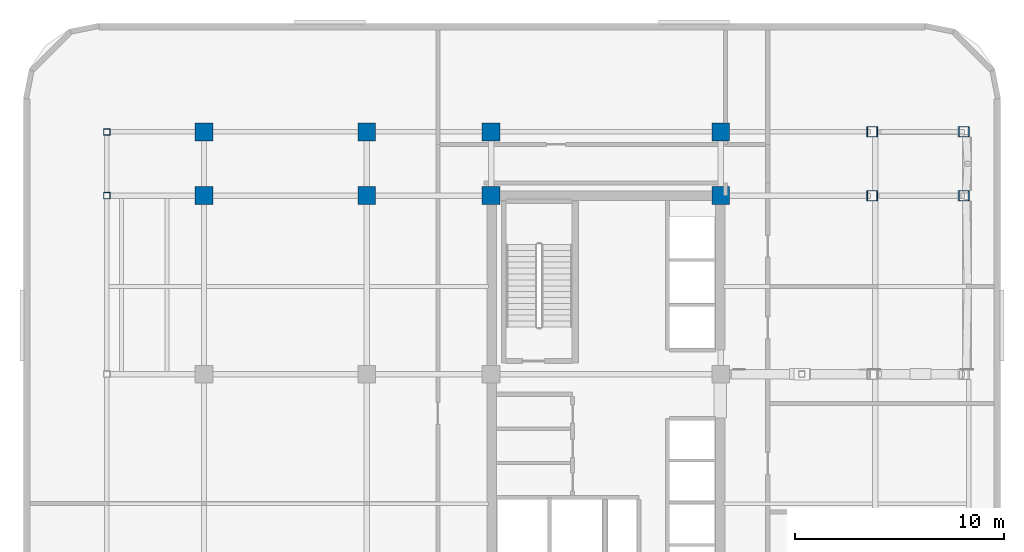
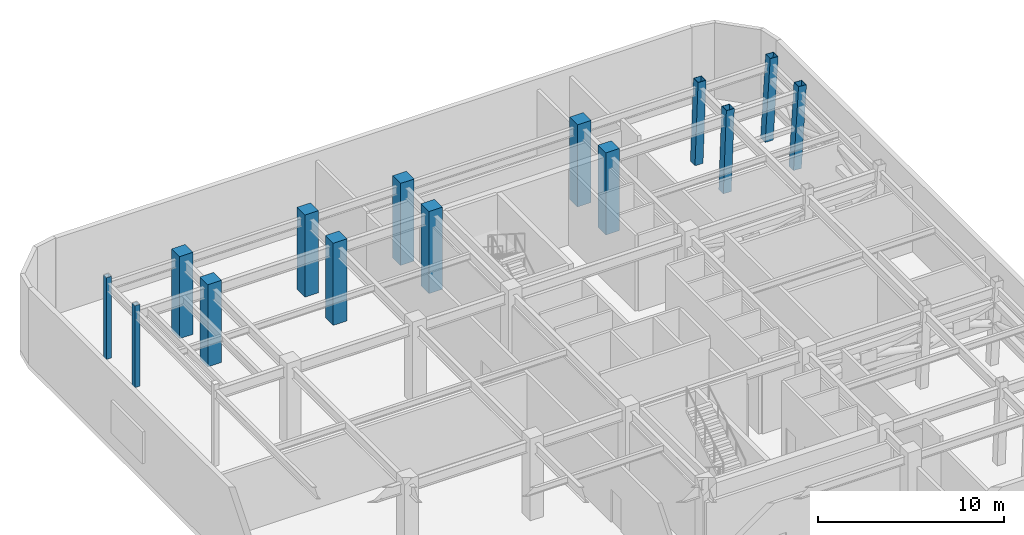
# One storey, part 3 of 14: 14 columns.
"""IFC4 building model written with IfcOpenShell, lengths in metres."""

from ifc_helpers import new_model, si_unit, direction, frame, origin, origin_2d, place, context, subcontext, project, spatial, rectangle, hollow_rectangle, extrude, material, material_profile, profile_set, type_object, element, save


model = new_model("IFC4")

# Units and contexts
model_context = context("Model", 3, precision=1e-05, world=origin(), true_north=direction((0.0, 1.0)))
body_context = subcontext(model_context, "Body", "Model", "MODEL_VIEW")
ifc_project = project(units=[si_unit("LENGTHUNIT", "METRE"), si_unit("AREAUNIT", "SQUARE_METRE"), si_unit("VOLUMEUNIT", "CUBIC_METRE"), si_unit("PLANEANGLEUNIT", "RADIAN"), si_unit("MASSUNIT", "GRAM", prefix="KILO")], contexts=[model_context])

# Site, building, storey
site_placement = place(None, origin())
site = spatial("IfcSite", under=ifc_project, at=site_placement, CompositionType="ELEMENT")
building_placement = place(site_placement, origin())
building = spatial("IfcBuilding", under=site, at=building_placement, Name="Ochreholt Gables", CompositionType="ELEMENT")
storey_placement = place(building_placement, frame((0.0, 0.0, 71.39990234375)))
storey = spatial("IfcBuildingStorey", under=building, at=storey_placement, Name="L18", CompositionType="ELEMENT", Elevation=71.39990234375)

# Columns
ifc_material_1 = material(Name="Steel CSA G40.21 350W", Category="steel")
ifc_material_profile_1 = material_profile(ifc_material_1, hollow_rectangle(XDim=0.304931640625, YDim=0.304931640625, WallThickness=0.0126953125, at=origin_2d()), Name="HSS305X305X13")
ifc_profile_set_1 = profile_set([ifc_material_profile_1], Name="Steel CSA G40.21 350W")
column_type_1 = type_object("IfcColumnType", Name="COL-HSS305-EXT", PredefinedType="COLUMN", material=ifc_profile_set_1)
for number, where, z_axis, x_axis, name in (
    (1, (5.800048828125, 38.75, 0.0), (0.0, 0.0, 1.0), (1.0, 0.0, 0.0), "L18 Column WTY5"),
    (2, (5.800048828125, 41.800048828125, 0.0), (0.0, 0.0, 1.0), (1.0, 0.0, 0.0), "L18 Column WTY6"),
):
    element("IfcColumn", number, at=place(storey_placement, frame(where, z_axis=z_axis, x_axis=x_axis)), inside=storey, type_object=column_type_1, Name=name, PredefinedType="COLUMN", context=body_context, shape_type="SweptSolid", body=[
        extrude(hollow_rectangle(XDim=0.304931640625, YDim=0.304931640625, WallThickness=0.0126953125, at=origin_2d()), origin(), (0.0, 0.0, 1.0), 5.375),
    ])
ifc_material_profile_2 = material_profile(ifc_material_1, hollow_rectangle(XDim=0.5, YDim=0.5, WallThickness=0.02197265625, at=origin_2d()), Name="HSS500X500X22")
ifc_profile_set_2 = profile_set([ifc_material_profile_2], Name="Steel CSA G40.21 350W")
column_type_2 = type_object("IfcColumnType", Name="COL-HSS500-RAK", PredefinedType="COLUMN", material=ifc_profile_set_2)
column_1_placement = place(storey_placement, frame((42.43505859375, 38.75, 0.0), z_axis=(0.034971136209, 0.0, 0.999388322742), x_axis=(0.0, 1.0, 0.0)))
element("IfcColumn", 3, at=column_1_placement, inside=storey, type_object=column_type_2, Name="L18 Column EMY5", PredefinedType="COLUMN", context=body_context, shape_type="SweptSolid", body=[
    extrude(hollow_rectangle(XDim=0.5, YDim=0.5, WallThickness=0.02197265625, at=origin_2d()), origin(), (0.0, 0.0, 1.0), 5.403564453125),
])
ifc_material_profile_3 = material_profile(ifc_material_1, hollow_rectangle(XDim=0.5, YDim=0.5, WallThickness=0.02197265625, at=origin_2d()), Name="HSS500X500X22")
ifc_profile_set_3 = profile_set([ifc_material_profile_3], Name="Steel CSA G40.21 350W")
column_type_3 = type_object("IfcColumnType", Name="COL-HSS500-RAKE", PredefinedType="COLUMN", material=ifc_profile_set_3)
column_2_placement = place(storey_placement, frame((42.43505859375, 41.800048828125, 0.0), z_axis=(0.034971136209, 0.0, 0.999388322742), x_axis=(0.0, 1.0, 0.0)))
element("IfcColumn", 4, at=column_2_placement, inside=storey, type_object=column_type_3, Name="L18 Column EMY6", PredefinedType="COLUMN", context=body_context, shape_type="SweptSolid", body=[
    extrude(hollow_rectangle(XDim=0.5, YDim=0.5, WallThickness=0.02197265625, at=origin_2d()), origin(), (0.0, 0.0, 1.0), 5.403564453125),
])
for number, where, z_axis, x_axis, name in (
    (5, (46.798095703125, 38.75, 0.0), (0.057862114793, 0.0, 0.998324584327), (0.0, 1.0, 0.0), "L18 Column EEY5"),
    (6, (46.798095703125, 41.800048828125, 0.0), (0.057862114793, 0.0, 0.998324584327), (0.0, 1.0, 0.0), "L18 Column EEY6"),
):
    element("IfcColumn", number, at=place(storey_placement, frame(where, z_axis=z_axis, x_axis=x_axis)), inside=storey, type_object=column_type_3, Name=name, PredefinedType="COLUMN", context=body_context, shape_type="SweptSolid", body=[
        extrude(hollow_rectangle(XDim=0.5, YDim=0.5, WallThickness=0.02197265625, at=origin_2d()), origin(), (0.0, 0.0, 1.0), 5.4091796875),
    ])
ifc_material_2 = material(Name="Concrete 60 MPa", Category="concrete")
ifc_material_profile_4 = material_profile(ifc_material_2, rectangle(XDim=0.85009765625, YDim=0.85009765625, at=origin_2d()), Name="RC850X850")
ifc_profile_set_4 = profile_set([ifc_material_profile_4], Name="Concrete 60 MPa")
column_type_4 = type_object("IfcColumnType", Name="COL-RC850-EXT", PredefinedType="COLUMN", material=ifc_profile_set_4)
for number, where, z_axis, x_axis, name in (
    (7, (10.449951171875, 41.800048828125, 0.0), (0.0, 0.0, 1.0), (1.0, 0.0, 0.0), "L18 Column W2Y6"),
    (8, (18.25, 41.800048828125, 0.0), (0.0, 0.0, 1.0), (1.0, 0.0, 0.0), "L18 Column W3Y6"),
    (9, (24.199951171875, 41.800048828125, 0.0), (0.0, 0.0, 1.0), (1.0, 0.0, 0.0), "L18 Column C1Y6"),
    (10, (35.199951171875, 41.800048828125, 0.0), (0.0, 0.0, 1.0), (1.0, 0.0, 0.0), "L18 Column C2Y6"),
):
    element("IfcColumn", number, at=place(storey_placement, frame(where, z_axis=z_axis, x_axis=x_axis)), inside=storey, type_object=column_type_4, Name=name, PredefinedType="COLUMN", context=body_context, shape_type="SweptSolid", body=[
        extrude(rectangle(XDim=0.85009765625, YDim=0.85009765625, at=origin_2d()), origin(), (0.0, 0.0, 1.0), 5.400146484375),
    ])
ifc_material_profile_5 = material_profile(ifc_material_2, rectangle(XDim=0.85009765625, YDim=0.85009765625, at=origin_2d()), Name="RC850X850")
ifc_profile_set_5 = profile_set([ifc_material_profile_5], Name="Concrete 60 MPa")
column_type_5 = type_object("IfcColumnType", Name="COL-RC850-INT", PredefinedType="COLUMN", material=ifc_profile_set_5)
for number, where, z_axis, x_axis, name in (
    (11, (10.449951171875, 38.75, 0.0), (0.0, 0.0, 1.0), (1.0, 0.0, 0.0), "L18 Column W2Y5"),
    (12, (18.25, 38.75, 0.0), (0.0, 0.0, 1.0), (1.0, 0.0, 0.0), "L18 Column W3Y5"),
    (13, (24.199951171875, 38.75, 0.0), (0.0, 0.0, 1.0), (1.0, 0.0, 0.0), "L18 Column C1Y5"),
    (14, (35.199951171875, 38.75, 0.0), (0.0, 0.0, 1.0), (1.0, 0.0, 0.0), "L18 Column C2Y5"),
):
    element("IfcColumn", number, at=place(storey_placement, frame(where, z_axis=z_axis, x_axis=x_axis)), inside=storey, type_object=column_type_5, Name=name, PredefinedType="COLUMN", context=body_context, shape_type="SweptSolid", body=[
        extrude(rectangle(XDim=0.85009765625, YDim=0.85009765625, at=origin_2d()), origin(), (0.0, 0.0, 1.0), 5.400146484375),
    ])

save(model, "model.ifc")
